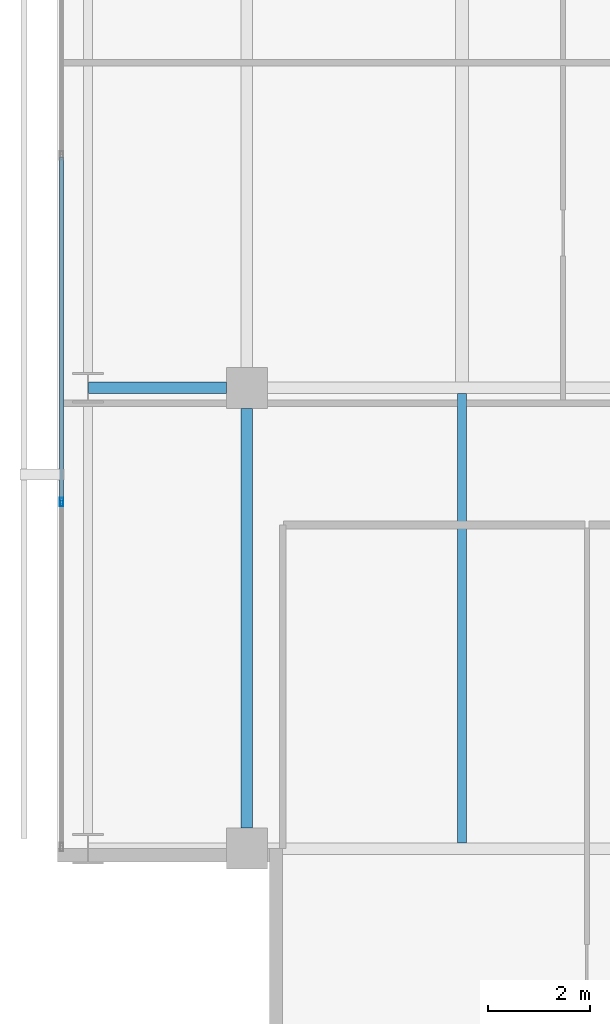
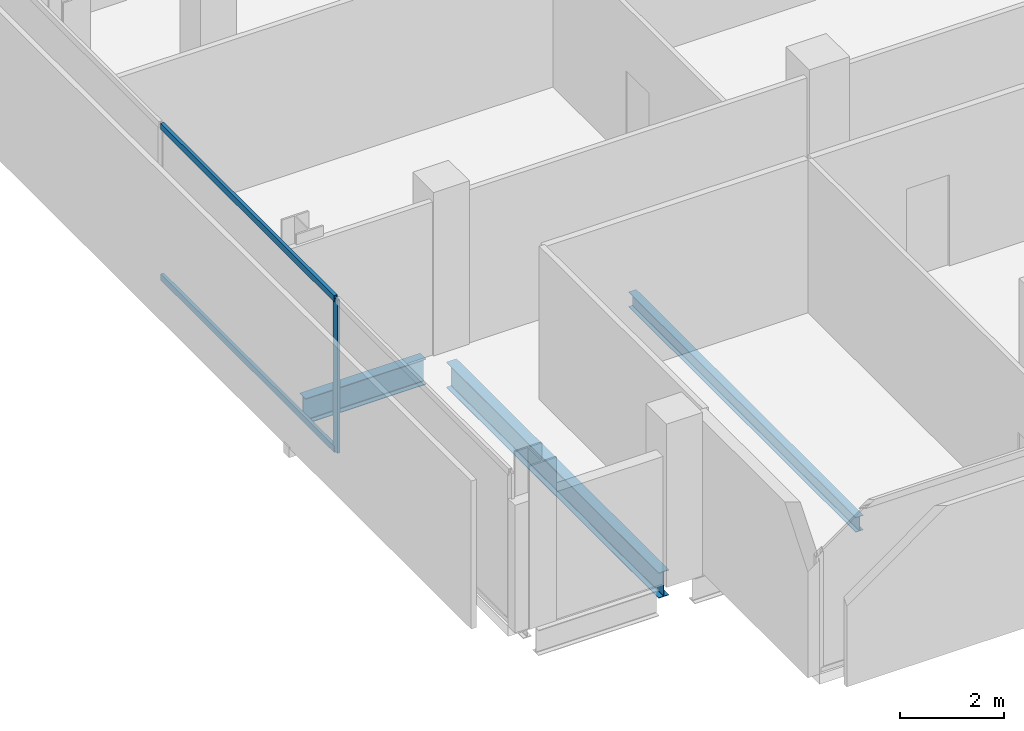
# One storey, part 4 of 33: 3 beams, 3 members, 1 element without a shape of its own.
"""IFC4 building model written with IfcOpenShell, lengths in metres."""

from ifc_helpers import new_model, si_unit, direction, frame, origin, origin_2d, place, context, subcontext, project, spatial, hollow_rectangle, i_section, extrude, material, layer, layer_set, material_profile, profile_set, type_object, element, aggregate, save


model = new_model("IFC4")

# Units and contexts
model_context = context("Model", 3, precision=1e-05, world=origin(), true_north=direction((0.0, 1.0)))
body_context = subcontext(model_context, "Body", "Model", "MODEL_VIEW")
ifc_project = project(units=[si_unit("LENGTHUNIT", "METRE"), si_unit("AREAUNIT", "SQUARE_METRE"), si_unit("VOLUMEUNIT", "CUBIC_METRE"), si_unit("PLANEANGLEUNIT", "RADIAN"), si_unit("MASSUNIT", "GRAM", prefix="KILO")], contexts=[model_context])

# Site, building, storey
site_placement = place(None, origin())
site = spatial("IfcSite", under=ifc_project, at=site_placement, CompositionType="ELEMENT")
building_placement = place(site_placement, origin())
building = spatial("IfcBuilding", under=site, at=building_placement, Name="Maruvema Waterfront Hotel and Observation Tower", CompositionType="ELEMENT")
storey_placement = place(building_placement, frame((0.0, 0.0, 169.75)))
storey = spatial("IfcBuildingStorey", under=building, at=storey_placement, Name="L41", CompositionType="ELEMENT", Elevation=169.75)

# Curtain wall, members
ifc_material_1 = material(Name="Anodised bronze aluminium and solar-control low-E IGU", Category="aluminium")
ifc_layer = layer(ifc_material_1, 0.159912109375, Name="Zone 2 Amber Inner Thermal Curtain Wall System CW-03")
ifc_layer_set = layer_set([ifc_layer], Name="Anodised bronze aluminium and solar-control low-E IGU")
curtain_wall_type = type_object("IfcCurtainWallType", Name="Zone 2 Amber Inner Thermal Curtain Wall System CW-03", PredefinedType="USERDEFINED", material=ifc_layer_set)
curtain_wall_placement = place(storey_placement, origin())
curtain_wall = element("IfcCurtainWall", 1, at=curtain_wall_placement, inside=storey, type_object=curtain_wall_type, Name="L41 Curtain Wall CW-L41-W", ObjectType="UNITISED CURTAIN WALL", PredefinedType="USERDEFINED")
ifc_material_2 = material(Name="Anodised architectural bronze aluminium", Category="aluminium")
ifc_material_profile_1 = material_profile(ifc_material_2, hollow_rectangle(XDim=0.070068359375, YDim=0.14990234375, WallThickness=0.00390625, at=origin_2d()), Name="ALU-T70x150")
ifc_profile_set_1 = profile_set([ifc_material_profile_1], Name="Anodised architectural bronze aluminium")
member_type_1 = type_object("IfcMemberType", Name="Curtain Wall Horizontal Transom ALU-T70x150", PredefinedType="USERDEFINED", material=ifc_profile_set_1)
member_1_placement = place(storey_placement, frame((13.179931640625, 22.50341796875, 0.030029296875), z_axis=(0.0, -1.0, 0.0), x_axis=(1.0, 0.0, 0.0)))
member_1 = element("IfcMember", 2, at=member_1_placement, type_object=member_type_1, Name="CW-03 transom 5.1", ObjectType="TRANSOM", PredefinedType="USERDEFINED", context=body_context, shape_type="SweptSolid", body=[
    extrude(hollow_rectangle(XDim=0.070068359375, YDim=0.14990234375, WallThickness=0.00390625, at=origin_2d()), origin(), (0.0, 0.0, 1.0), 6.706787109375),
])
member_2_placement = place(storey_placement, frame((13.179931640625, 22.50341796875, 3.580078125), z_axis=(0.0, -1.0, 0.0), x_axis=(1.0, 0.0, 0.0)))
member_2 = element("IfcMember", 3, at=member_2_placement, type_object=member_type_1, Name="CW-03 transom 5.2", ObjectType="TRANSOM", PredefinedType="USERDEFINED", context=body_context, shape_type="SweptSolid", body=[
    extrude(hollow_rectangle(XDim=0.070068359375, YDim=0.14990234375, WallThickness=0.00390625, at=origin_2d()), origin(), (0.0, 0.0, 1.0), 6.706787109375),
])
ifc_material_3 = material(Name="Anodised architectural bronze aluminium", Category="aluminium")
ifc_material_profile_2 = material_profile(ifc_material_3, hollow_rectangle(XDim=0.06494140625, YDim=0.1650390625, WallThickness=0.00390625, at=origin_2d()), Name="ALU-M65x165")
ifc_profile_set_2 = profile_set([ifc_material_profile_2], Name="Anodised architectural bronze aluminium")
member_type_2 = type_object("IfcMemberType", Name="Curtain Wall Primary Mullion ALU-M65x165", PredefinedType="MULLION", material=ifc_profile_set_2)
member_3_placement = place(storey_placement, frame((13.179931640625, 15.7666015625, 0.0), z_axis=(0.0, 0.0, 1.0), x_axis=(1.0, 0.0, 0.0)))
member_3 = element("IfcMember", 4, at=member_3_placement, type_object=member_type_2, Name="CW-03 mullion 6", PredefinedType="MULLION", context=body_context, shape_type="SweptSolid", body=[
    extrude(hollow_rectangle(XDim=0.06494140625, YDim=0.1650390625, WallThickness=0.00390625, at=origin_2d()), origin(), (0.0, 0.0, 1.0), 3.610107421875),
])
aggregate(curtain_wall, [member_3, member_1, member_2])

# Beams
ifc_material_4 = material(Name="Steel ASTM A572 Grade 50", Category="steel")
ifc_material_profile_3 = material_profile(ifc_material_4, i_section(OverallWidth=0.22802734375, OverallDepth=0.60302734375, WebThickness=0.010498046875, FlangeThickness=0.014892578125, FilletRadius=0.01806640625, at=origin_2d()), Name="W610x101.0")
ifc_profile_set_3 = profile_set([ifc_material_profile_3], Name="Steel ASTM A572 Grade 50")
beam_type_1 = type_object("IfcBeamType", Name="Primary Floor Girder W610x101.0", PredefinedType="BEAM", material=ifc_profile_set_3)
beam_1_placement = place(storey_placement, frame((13.71240234375, 18.0, -0.54150390625), z_axis=(1.0, 0.0, 0.0), x_axis=(0.0, 1.0, 0.0)))
element("IfcBeam", 5, at=beam_1_placement, inside=storey, type_object=beam_type_1, Name="L41 Floor Girder EW-11", PredefinedType="BEAM", context=body_context, shape_type="SweptSolid", body=[
    extrude(i_section(OverallWidth=0.22802734375, OverallDepth=0.60302734375, WebThickness=0.010498046875, FlangeThickness=0.014892578125, FilletRadius=0.01806640625, at=origin_2d()), origin(), (0.0, 0.0, 1.0), 2.6875),
])
beam_2_placement = place(storey_placement, frame((16.800048828125, 9.39990234375, -0.54150390625), z_axis=(0.0, 1.0, 0.0), x_axis=(-1.0, 0.0, 0.0)))
element("IfcBeam", 6, at=beam_2_placement, inside=storey, type_object=beam_type_1, Name="L41 Floor Girder NS-05", PredefinedType="BEAM", context=body_context, shape_type="SweptSolid", body=[
    extrude(i_section(OverallWidth=0.22802734375, OverallDepth=0.60302734375, WebThickness=0.010498046875, FlangeThickness=0.014892578125, FilletRadius=0.01806640625, at=origin_2d()), origin(), (0.0, 0.0, 1.0), 8.2001953125),
])
ifc_material_5 = material(Name="Steel ASTM A572 Grade 50", Category="steel")
ifc_material_profile_4 = material_profile(ifc_material_5, i_section(OverallWidth=0.1708984375, OverallDepth=0.35498046875, WebThickness=0.007080078125, FlangeThickness=0.01171875, FilletRadius=0.014892578125, at=origin_2d()), Name="W360x51.0")
ifc_profile_set_4 = profile_set([ifc_material_profile_4], Name="Steel ASTM A572 Grade 50")
beam_type_2 = type_object("IfcBeamType", Name="Secondary Floor Joist W360x51.0", PredefinedType="JOIST", material=ifc_profile_set_4)
beam_3_placement = place(storey_placement, frame((21.0, 9.114013671875, -0.41748046875), z_axis=(0.0, 1.0, 0.0), x_axis=(-1.0, 0.0, 0.0)))
element("IfcBeam", 7, at=beam_3_placement, inside=storey, type_object=beam_type_2, Name="L41 Secondary Floor Joist JS-01", PredefinedType="JOIST", context=body_context, shape_type="SweptSolid", body=[
    extrude(i_section(OverallWidth=0.1708984375, OverallDepth=0.35498046875, WebThickness=0.007080078125, FlangeThickness=0.01171875, FilletRadius=0.014892578125, at=origin_2d()), origin(), (0.0, 0.0, 1.0), 8.77197265625),
])

save(model, "model.ifc")
